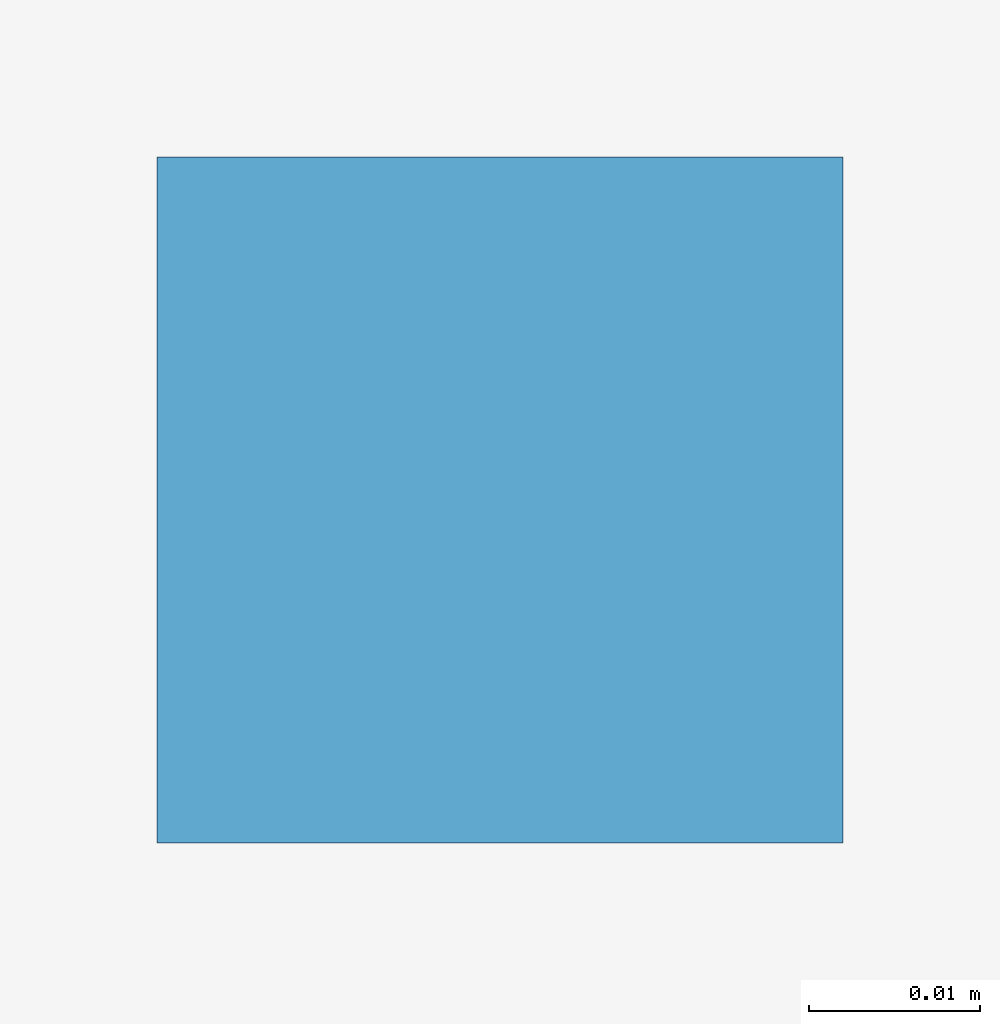
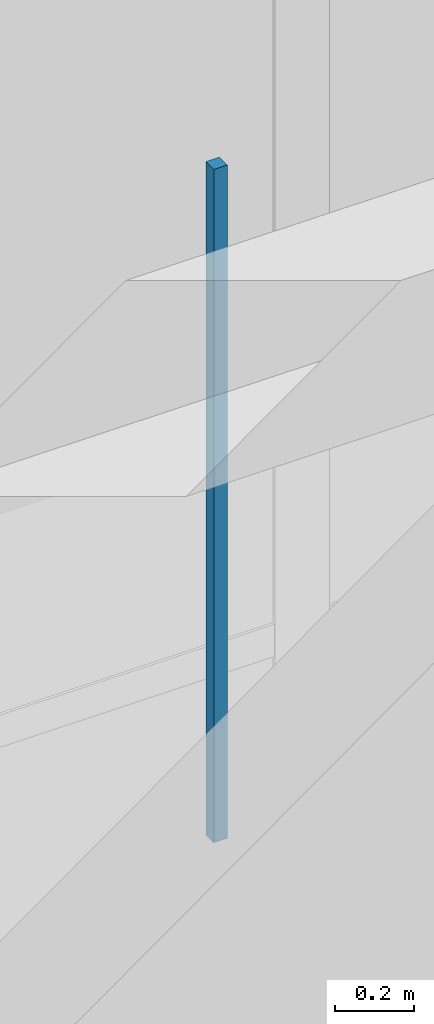
# One storey, part 127 of 157: 1 discrete accessory.
"""IFC4 building model written with IfcOpenShell, lengths in metres."""

from ifc_helpers import new_model, si_unit, direction, frame, origin, origin_2d, place, context, subcontext, project, spatial, rectangle, extrude, material, type_object, element, save


model = new_model("IFC4")

# Units and contexts
model_context = context("Model", 3, precision=1e-05, world=origin(), true_north=direction((0.0, 1.0)))
body_context = subcontext(model_context, "Body", "Model", "MODEL_VIEW")
ifc_project = project(units=[si_unit("LENGTHUNIT", "METRE"), si_unit("AREAUNIT", "SQUARE_METRE"), si_unit("VOLUMEUNIT", "CUBIC_METRE"), si_unit("PLANEANGLEUNIT", "RADIAN"), si_unit("MASSUNIT", "GRAM", prefix="KILO")], contexts=[model_context])

# Site, building, storey
site_placement = place(None, origin())
site = spatial("IfcSite", under=ifc_project, at=site_placement, CompositionType="ELEMENT")
building_placement = place(site_placement, origin())
building = spatial("IfcBuilding", under=site, at=building_placement, Name="Varncliffe General Hospital", CompositionType="ELEMENT")
storey_placement = place(building_placement, frame((0.0, 0.0, 5.39990234375)))
storey = spatial("IfcBuildingStorey", under=building, at=storey_placement, Name="L01", CompositionType="ELEMENT", Elevation=5.39990234375)

# Discrete accessory
ifc_material = material(Name="Powder-coated hospital steel guardrail and handrail", Category="steel")
discrete_accessory_type = type_object("IfcDiscreteAccessoryType", Name="Suspended Ceiling Hanger Bracket CH01", PredefinedType="BRACKET", material=ifc_material)
discrete_accessory_placement = place(storey_placement, frame((88.199951171875, 104.45751953125, 3.18994140625), z_axis=(0.0, 0.0, 1.0), x_axis=(1.0, 0.0, 0.0)))
element("IfcDiscreteAccessory", 1, at=discrete_accessory_placement, inside=storey, type_object=discrete_accessory_type, Name="L01 Suspended Ceiling Hanger 115", PredefinedType="BRACKET", context=body_context, shape_type="SweptSolid", body=[
    extrude(rectangle(XDim=0.0400390625, YDim=0.0400390625, at=origin_2d()), origin(), (0.0, 0.0, 1.0), 2.090087890625),
])

save(model, "model.ifc")
